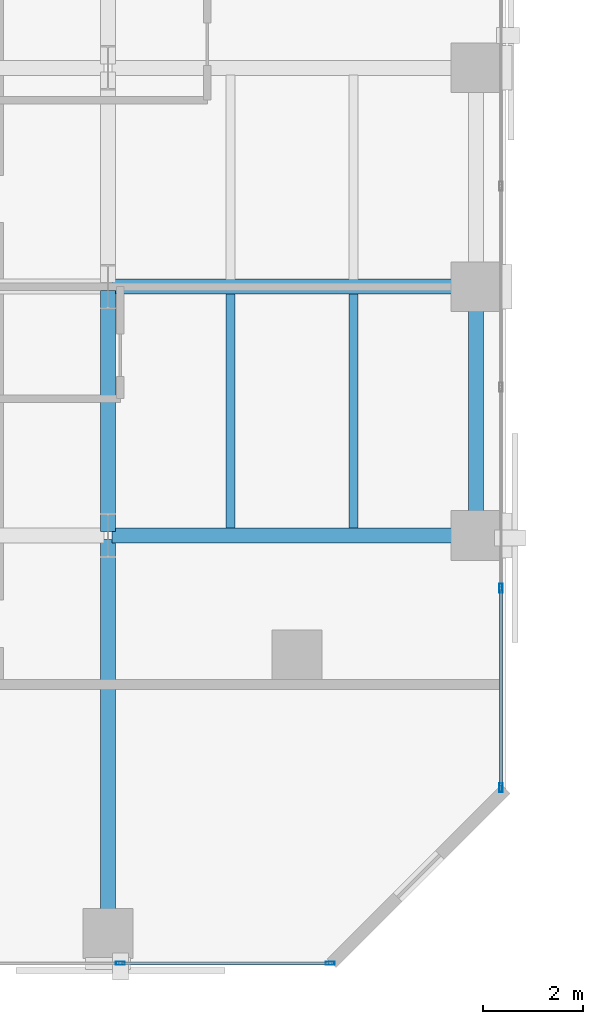
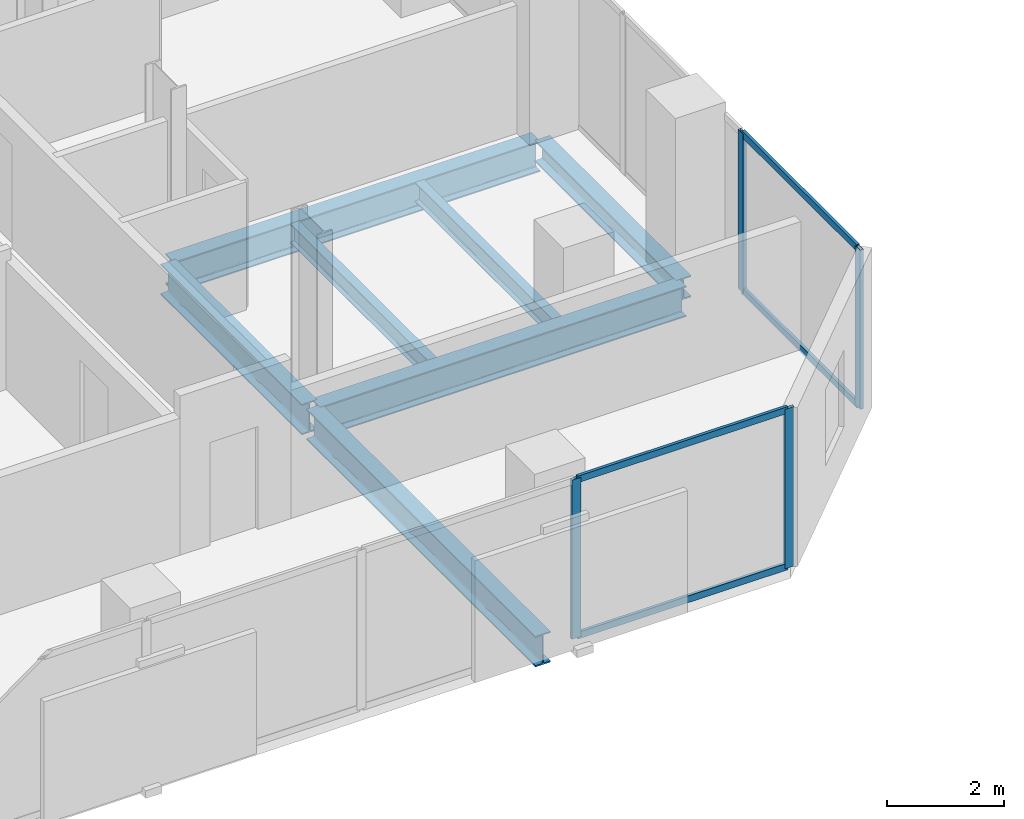
# One storey, part 6 of 31: 8 members, 7 beams, 2 elements without a shape of their own.
"""IFC4 building model written with IfcOpenShell, lengths in metres."""

from ifc_helpers import new_model, si_unit, direction, frame, origin, origin_2d, place, context, subcontext, project, spatial, hollow_rectangle, i_section, extrude, material, layer, layer_set, material_profile, profile_set, type_object, element, aggregate, save


model = new_model("IFC4")

# Units and contexts
model_context = context("Model", 3, precision=1e-05, world=origin(), true_north=direction((0.0, 1.0)))
body_context = subcontext(model_context, "Body", "Model", "MODEL_VIEW")
ifc_project = project(units=[si_unit("LENGTHUNIT", "METRE"), si_unit("AREAUNIT", "SQUARE_METRE"), si_unit("VOLUMEUNIT", "CUBIC_METRE"), si_unit("PLANEANGLEUNIT", "RADIAN"), si_unit("MASSUNIT", "GRAM", prefix="KILO")], contexts=[model_context])

# Site, building, storey
site_placement = place(None, origin())
site = spatial("IfcSite", under=ifc_project, at=site_placement, CompositionType="ELEMENT")
building_placement = place(site_placement, origin())
building = spatial("IfcBuilding", under=site, at=building_placement, Name="Catumbela Crestline Tower", CompositionType="ELEMENT")
storey_placement = place(building_placement, frame((0.0, 0.0, 25.8)))
storey = spatial("IfcBuildingStorey", under=building, at=storey_placement, Name="L05", CompositionType="ELEMENT", Elevation=25.8)

# Beams
ifc_material_1 = material(Name="Structural steel S355J2", Category="steel")
ifc_material_profile_1 = material_profile(ifc_material_1, i_section(OverallWidth=0.3, OverallDepth=0.64, WebThickness=0.0135, FlangeThickness=0.026, FilletRadius=0.027, at=origin_2d()), Name="HEA 650")
ifc_profile_set_1 = profile_set([ifc_material_profile_1], Name="Structural steel S355J2")
beam_type_1 = type_object("IfcBeamType", Name="BG-HEA650", PredefinedType="BEAM", material=ifc_profile_set_1)
for number, where, z_axis, x_axis, name in (
    (1, (16.08, 8.6, -0.58), (1.0, 0.0, 0.0), (0.0, 1.0, 0.0), "L05 Beam BM-L05-WEW50"),
    (2, (16.08, 13.6, -0.58), (1.0, 0.0, 0.0), (0.0, 1.0, 0.0), "L05 Beam BM-L05-WEW53"),
):
    element("IfcBeam", number, at=place(storey_placement, frame(where, z_axis=z_axis, x_axis=x_axis)), inside=storey, type_object=beam_type_1, Name=name, PredefinedType="BEAM", context=body_context, shape_type="SweptSolid", body=[
        extrude(i_section(OverallWidth=0.3, OverallDepth=0.64, WebThickness=0.0135, FlangeThickness=0.026, FilletRadius=0.027, at=origin_2d()), origin(), (0.0, 0.0, 1.0), 7.24),
    ])
beam_1_placement = place(storey_placement, frame((16.0, 0.68, -0.58), z_axis=(0.0, 1.0, 0.0), x_axis=(-1.0, 0.0, 0.0)))
element("IfcBeam", 3, at=beam_1_placement, inside=storey, type_object=beam_type_1, Name="L05 Beam BM-L05-WNS64", PredefinedType="BEAM", context=body_context, shape_type="SweptSolid", body=[
    extrude(i_section(OverallWidth=0.3, OverallDepth=0.64, WebThickness=0.0135, FlangeThickness=0.026, FilletRadius=0.027, at=origin_2d()), origin(), (0.0, 0.0, 1.0), 7.84),
])
beam_2_placement = place(storey_placement, frame((16.0, 8.68, -0.58), z_axis=(0.0, 1.0, 0.0), x_axis=(-1.0, 0.0, 0.0)))
element("IfcBeam", 4, at=beam_2_placement, inside=storey, type_object=beam_type_1, Name="L05 Beam BM-L05-WNS65", PredefinedType="BEAM", context=body_context, shape_type="SweptSolid", body=[
    extrude(i_section(OverallWidth=0.3, OverallDepth=0.64, WebThickness=0.0135, FlangeThickness=0.026, FilletRadius=0.027, at=origin_2d()), origin(), (0.0, 0.0, 1.0), 4.84),
])
ifc_material_profile_2 = material_profile(ifc_material_1, i_section(OverallWidth=0.18, OverallDepth=0.4, WebThickness=0.0086, FlangeThickness=0.0135, FilletRadius=0.021, at=origin_2d()), Name="IPE 400")
ifc_profile_set_2 = profile_set([ifc_material_profile_2], Name="Structural steel S355J2")
beam_type_2 = type_object("IfcBeamType", Name="BJ-IPE400", PredefinedType="JOIST", material=ifc_profile_set_2)
for number, where, z_axis, x_axis, name in (
    (5, (18.467, 8.747, -0.46), (0.0, 1.0, 0.0), (-1.0, 0.0, 0.0), "L05 Joist JS-L05-WG74"),
    (6, (20.933, 8.747, -0.46), (0.0, 1.0, 0.0), (-1.0, 0.0, 0.0), "L05 Joist JS-L05-WG75"),
):
    element("IfcBeam", number, at=place(storey_placement, frame(where, z_axis=z_axis, x_axis=x_axis)), inside=storey, type_object=beam_type_2, Name=name, PredefinedType="JOIST", context=body_context, shape_type="SweptSolid", body=[
        extrude(i_section(OverallWidth=0.18, OverallDepth=0.4, WebThickness=0.0086, FlangeThickness=0.0135, FilletRadius=0.021, at=origin_2d()), origin(), (0.0, 0.0, 1.0), 4.706),
    ])

# Curtain wall, members
ifc_material_2 = material(Name="Aluminium alloy AW-6060-T66", Category="aluminium")
ifc_layer = layer(ifc_material_2, 0.18, Name="Aluminium alloy AW-6060-T66")
ifc_layer_set = layer_set([ifc_layer], Name="Aluminium alloy AW-6060-T66")
curtain_wall_type = type_object("IfcCurtainWallType", Name="CWU-Z1", PredefinedType="USERDEFINED", material=ifc_layer_set)
curtain_wall_1_placement = place(storey_placement, origin())
curtain_wall_1 = element("IfcCurtainWall", 7, at=curtain_wall_1_placement, inside=storey, type_object=curtain_wall_type, Name="L05 Unitised Curtain Wall CW-L05-E0S1", ObjectType="UNITISED", PredefinedType="USERDEFINED")
ifc_material_profile_3 = material_profile(ifc_material_2, hollow_rectangle(XDim=0.065, YDim=0.18, WallThickness=0.004, at=origin_2d()), Name="ALU 180x65x4")
ifc_profile_set_3 = profile_set([ifc_material_profile_3], Name="Aluminium alloy AW-6060-T66")
member_type_1 = type_object("IfcMemberType", Name="MUL-180X65", PredefinedType="MULLION", material=ifc_profile_set_3)
member_1_placement = place(storey_placement, frame((16.25, 0.0, 0.0), z_axis=(0.0, 0.0, 1.0), x_axis=(0.0, 1.0, 0.0)))
member_1 = element("IfcMember", 8, at=member_1_placement, type_object=member_type_1, Name="CWU-Z1 mullion 4", PredefinedType="MULLION", context=body_context, shape_type="SweptSolid", body=[
    extrude(hollow_rectangle(XDim=0.065, YDim=0.18, WallThickness=0.004, at=origin_2d()), origin(), (0.0, 0.0, 1.0), 3.33),
])
member_2_placement = place(storey_placement, frame((20.4675, 0.0, 0.0), z_axis=(0.0, 0.0, 1.0), x_axis=(0.0, 1.0, 0.0)))
member_2 = element("IfcMember", 9, at=member_2_placement, type_object=member_type_1, Name="CWU-Z1 mullion 5", PredefinedType="MULLION", context=body_context, shape_type="SweptSolid", body=[
    extrude(hollow_rectangle(XDim=0.065, YDim=0.18, WallThickness=0.004, at=origin_2d()), origin(), (0.0, 0.0, 1.0), 3.33),
])

curtain_wall_2_placement = place(storey_placement, origin())
curtain_wall_2 = element("IfcCurtainWall", 10, at=curtain_wall_2_placement, inside=storey, type_object=curtain_wall_type, Name="L05 Unitised Curtain Wall CW-L05-E2S1", ObjectType="UNITISED", PredefinedType="USERDEFINED")
member_3_placement = place(storey_placement, frame((23.9, 3.5325, 0.0), z_axis=(0.0, 0.0, 1.0), x_axis=(-1.0, 0.0, 0.0)))
member_3 = element("IfcMember", 11, at=member_3_placement, type_object=member_type_1, Name="CWU-Z1 mullion 1", PredefinedType="MULLION", context=body_context, shape_type="SweptSolid", body=[
    extrude(hollow_rectangle(XDim=0.065, YDim=0.18, WallThickness=0.004, at=origin_2d()), origin(), (0.0, 0.0, 1.0), 3.33),
])
member_4_placement = place(storey_placement, frame((23.9, 7.54, 0.0), z_axis=(0.0, 0.0, 1.0), x_axis=(-1.0, 0.0, 0.0)))
member_4 = element("IfcMember", 12, at=member_4_placement, type_object=member_type_1, Name="CWU-Z1 mullion 2", PredefinedType="MULLION", context=body_context, shape_type="SweptSolid", body=[
    extrude(hollow_rectangle(XDim=0.065, YDim=0.18, WallThickness=0.004, at=origin_2d()), origin(), (0.0, 0.0, 1.0), 3.33),
])

# Beam
ifc_material_profile_4 = material_profile(ifc_material_1, i_section(OverallWidth=0.3, OverallDepth=0.45, WebThickness=0.014, FlangeThickness=0.026, FilletRadius=0.027, at=origin_2d()), Name="HEB 450")
ifc_profile_set_4 = profile_set([ifc_material_profile_4], Name="Structural steel S355J2")
beam_type_3 = type_object("IfcBeamType", Name="BS-HEB450", PredefinedType="SPANDREL", material=ifc_profile_set_4)
beam_3_placement = place(storey_placement, frame((23.4, 8.68, -0.485), z_axis=(0.0, 1.0, 0.0), x_axis=(-1.0, 0.0, 0.0)))
element("IfcBeam", 13, at=beam_3_placement, inside=storey, type_object=beam_type_3, Name="L05 Spandrel SP-L05-WNS68", PredefinedType="SPANDREL", context=body_context, shape_type="SweptSolid", body=[
    extrude(i_section(OverallWidth=0.3, OverallDepth=0.45, WebThickness=0.014, FlangeThickness=0.026, FilletRadius=0.027, at=origin_2d()), origin(), (0.0, 0.0, 1.0), 4.84),
])

# Member
ifc_material_profile_5 = material_profile(ifc_material_2, hollow_rectangle(XDim=0.06, YDim=0.14, WallThickness=0.004, at=origin_2d()), Name="ALU 140x60x4")
ifc_profile_set_5 = profile_set([ifc_material_profile_5], Name="Aluminium alloy AW-6060-T66")
member_type_2 = type_object("IfcMemberType", Name="TRN-140X60", PredefinedType="USERDEFINED", material=ifc_profile_set_5)
member_5_placement = place(storey_placement, frame((16.2825, 0.0, 0.03), z_axis=(1.0, 0.0, 0.0), x_axis=(0.0, 1.0, 0.0)))
member_5 = element("IfcMember", 14, at=member_5_placement, type_object=member_type_2, Name="CWU-Z1 transom 4.1", ObjectType="TRANSOM", PredefinedType="USERDEFINED", context=body_context, shape_type="SweptSolid", body=[
    extrude(hollow_rectangle(XDim=0.06, YDim=0.14, WallThickness=0.004, at=origin_2d()), origin(), (0.0, 0.0, 1.0), 4.1525),
])

member_6_placement = place(storey_placement, frame((16.2825, 0.0, 3.3), z_axis=(1.0, 0.0, 0.0), x_axis=(0.0, 1.0, 0.0)))
member_6 = element("IfcMember", 15, at=member_6_placement, type_object=member_type_2, Name="CWU-Z1 transom 4.2", ObjectType="TRANSOM", PredefinedType="USERDEFINED", context=body_context, shape_type="SweptSolid", body=[
    extrude(hollow_rectangle(XDim=0.06, YDim=0.14, WallThickness=0.004, at=origin_2d()), origin(), (0.0, 0.0, 1.0), 4.1525),
])

aggregate(curtain_wall_1, [member_1, member_2, member_5, member_6])

member_7_placement = place(storey_placement, frame((23.9, 3.565, 0.03), z_axis=(0.0, 1.0, 0.0), x_axis=(-1.0, 0.0, 0.0)))
member_7 = element("IfcMember", 16, at=member_7_placement, type_object=member_type_2, Name="CWU-Z1 transom 1.1", ObjectType="TRANSOM", PredefinedType="USERDEFINED", context=body_context, shape_type="SweptSolid", body=[
    extrude(hollow_rectangle(XDim=0.06, YDim=0.14, WallThickness=0.004, at=origin_2d()), origin(), (0.0, 0.0, 1.0), 3.9425),
])

member_8_placement = place(storey_placement, frame((23.9, 3.565, 3.3), z_axis=(0.0, 1.0, 0.0), x_axis=(-1.0, 0.0, 0.0)))
member_8 = element("IfcMember", 17, at=member_8_placement, type_object=member_type_2, Name="CWU-Z1 transom 1.2", ObjectType="TRANSOM", PredefinedType="USERDEFINED", context=body_context, shape_type="SweptSolid", body=[
    extrude(hollow_rectangle(XDim=0.06, YDim=0.14, WallThickness=0.004, at=origin_2d()), origin(), (0.0, 0.0, 1.0), 3.9425),
])

aggregate(curtain_wall_2, [member_3, member_4, member_7, member_8])

save(model, "model.ifc")
